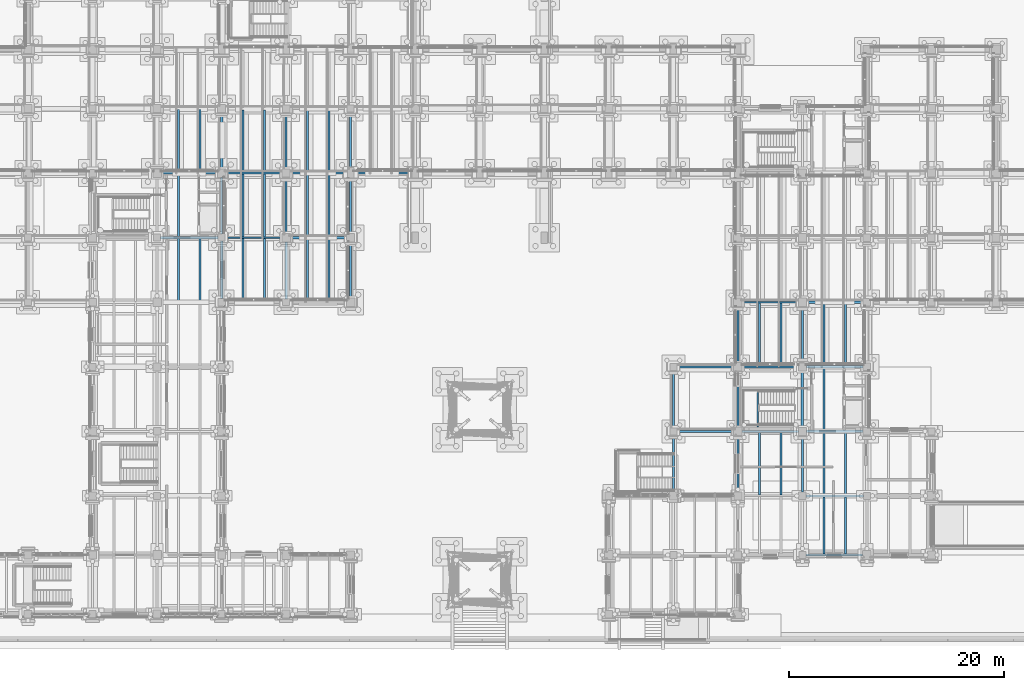
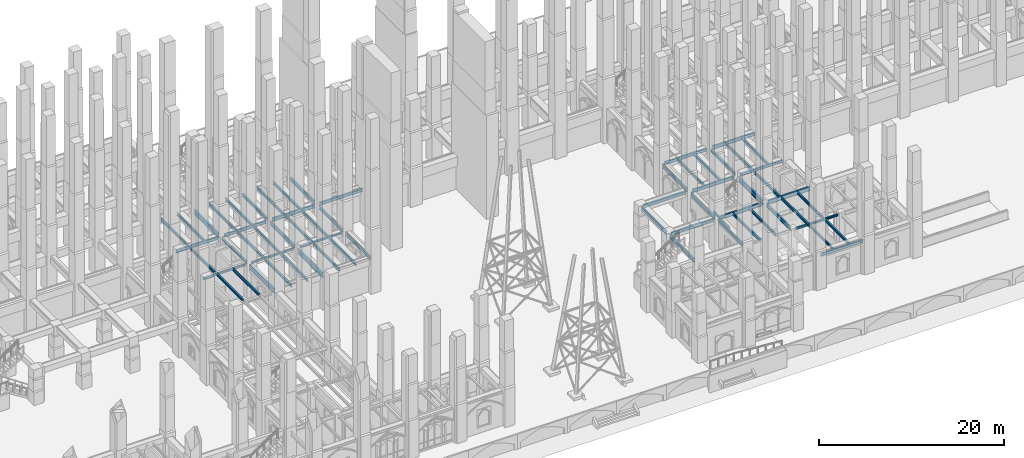
# One storey, part 45 of 135: 63 beams.
"""IFC4 building model written with IfcOpenShell, lengths in metres."""

from ifc_helpers import new_model, si_unit, direction, frame, origin, origin_2d, place, context, subcontext, project, spatial, i_section, extrude, material, material_profile, profile_set, type_object, element, save


model = new_model("IFC4")

# Units and contexts
model_context = context("Model", 3, precision=1e-05, world=origin(), true_north=direction((0.0, 1.0)))
body_context = subcontext(model_context, "Body", "Model", "MODEL_VIEW")
ifc_project = project(units=[si_unit("LENGTHUNIT", "METRE"), si_unit("AREAUNIT", "SQUARE_METRE"), si_unit("VOLUMEUNIT", "CUBIC_METRE"), si_unit("PLANEANGLEUNIT", "RADIAN"), si_unit("MASSUNIT", "GRAM", prefix="KILO")], contexts=[model_context])

# Site, building, storey
site_placement = place(None, origin())
site = spatial("IfcSite", under=ifc_project, at=site_placement, CompositionType="ELEMENT")
building_placement = place(site_placement, origin())
building = spatial("IfcBuilding", under=site, at=building_placement, Name="Cumevento Cable Car Station", CompositionType="ELEMENT")
storey_placement = place(building_placement, origin())
storey = spatial("IfcBuildingStorey", under=building, at=storey_placement, Name="L01", CompositionType="ELEMENT", Elevation=0.0)

# Beams
ifc_material_1 = material(Name="Steel ASTM A572 Grade 50", Category="steel")
ifc_material_profile_1 = material_profile(ifc_material_1, i_section(OverallWidth=0.22802734375, OverallDepth=0.60791015625, WebThickness=0.01123046875, FlangeThickness=0.017333984375, at=origin_2d()), Name="W610x113.0")
ifc_profile_set_1 = profile_set([ifc_material_profile_1], Name="Steel ASTM A572 Grade 50")
beam_type_1 = type_object("IfcBeamType", Name="Structural Beam BM-02 W610x113.0", PredefinedType="BEAM", material=ifc_profile_set_1)
beam_1_placement = place(storey_placement, frame((70.0, 33.35009765625, 3.805908203125), z_axis=(0.0, 1.0, 0.0), x_axis=(-1.0, 0.0, 0.0)))
element("IfcBeam", 1, at=beam_1_placement, inside=storey, type_object=beam_type_1, Name="Beam BM-02 L01 #76", PredefinedType="BEAM", context=body_context, shape_type="SweptSolid", body=[
    extrude(i_section(OverallWidth=0.22802734375, OverallDepth=0.60791015625, WebThickness=0.01123046875, FlangeThickness=0.017333984375, at=origin_2d()), origin(), (0.0, 0.0, 1.0), 5.324951171875),
])
beam_2_placement = place(storey_placement, frame((76.0, 33.324951171875, 3.805908203125), z_axis=(0.0, 1.0, 0.0), x_axis=(-1.0, 0.0, 0.0)))
element("IfcBeam", 2, at=beam_2_placement, inside=storey, type_object=beam_type_1, Name="Beam BM-02 L01 #88", PredefinedType="BEAM", context=body_context, shape_type="SweptSolid", body=[
    extrude(i_section(OverallWidth=0.22802734375, OverallDepth=0.60791015625, WebThickness=0.01123046875, FlangeThickness=0.017333984375, at=origin_2d()), origin(), (0.0, 0.0, 1.0), 5.275146484375),
])
beam_3_placement = place(storey_placement, frame((70.0, 45.39990234375, 3.805908203125), z_axis=(0.0, 1.0, 0.0), x_axis=(-1.0, 0.0, 0.0)))
element("IfcBeam", 3, at=beam_3_placement, inside=storey, type_object=beam_type_1, Name="Beam BM-02 L01 #178", PredefinedType="BEAM", context=body_context, shape_type="SweptSolid", body=[
    extrude(i_section(OverallWidth=0.22802734375, OverallDepth=0.60791015625, WebThickness=0.01123046875, FlangeThickness=0.017333984375, at=origin_2d()), origin(), (0.0, 0.0, 1.0), 5.22509765625),
])
beam_4_placement = place(storey_placement, frame((124.0, 21.375, 3.805908203125), z_axis=(0.0, 1.0, 0.0), x_axis=(-1.0, 0.0, 0.0)))
element("IfcBeam", 4, at=beam_4_placement, inside=storey, type_object=beam_type_1, Name="Beam BM-02 L01 #244", PredefinedType="BEAM", context=body_context, shape_type="SweptSolid", body=[
    extrude(i_section(OverallWidth=0.22802734375, OverallDepth=0.60791015625, WebThickness=0.01123046875, FlangeThickness=0.017333984375, at=origin_2d()), origin(), (0.0, 0.0, 1.0), 5.25),
])
ifc_material_2 = material(Name="Steel ASTM A572 Grade 50", Category="steel")
ifc_material_profile_2 = material_profile(ifc_material_2, i_section(OverallWidth=0.18994140625, OverallDepth=0.45703125, WebThickness=0.009033203125, FlangeThickness=0.014404296875, at=origin_2d()), Name="W460x74.0")
ifc_profile_set_2 = profile_set([ifc_material_profile_2], Name="Steel ASTM A572 Grade 50")
beam_type_2 = type_object("IfcBeamType", Name="Structural Beam BM-04 W460x74.0", PredefinedType="BEAM", material=ifc_profile_set_2)
beam_5_placement = place(storey_placement, frame((76.0, 39.39990234375, 3.881591796875), z_axis=(0.0, 1.0, 0.0), x_axis=(-1.0, 0.0, 0.0)))
element("IfcBeam", 5, at=beam_5_placement, inside=storey, type_object=beam_type_2, Name="Beam BM-04 L01 #89", PredefinedType="BEAM", context=body_context, shape_type="SweptSolid", body=[
    extrude(i_section(OverallWidth=0.18994140625, OverallDepth=0.45703125, WebThickness=0.009033203125, FlangeThickness=0.014404296875, at=origin_2d()), origin(), (0.0, 0.0, 1.0), 5.22509765625),
])
beam_6_placement = place(storey_placement, frame((82.0, 45.52490234375, 3.881591796875), z_axis=(0.0, 1.0, 0.0), x_axis=(-1.0, 0.0, 0.0)))
element("IfcBeam", 6, at=beam_6_placement, inside=storey, type_object=beam_type_2, Name="Beam BM-04 L01 #182", PredefinedType="BEAM", context=body_context, shape_type="SweptSolid", body=[
    extrude(i_section(OverallWidth=0.18994140625, OverallDepth=0.45703125, WebThickness=0.009033203125, FlangeThickness=0.014404296875, at=origin_2d()), origin(), (0.0, 0.0, 1.0), 5.150146484375),
])
beam_7_placement = place(storey_placement, frame((124.0, 15.35009765625, 3.987548828125), z_axis=(0.0, 1.0, 0.0), x_axis=(-1.0, 0.0, 0.0)))
element("IfcBeam", 7, at=beam_7_placement, inside=storey, type_object=beam_type_2, Name="Beam BM-04 L01 #236", PredefinedType="BEAM", context=body_context, shape_type="SweptSolid", body=[
    extrude(i_section(OverallWidth=0.18994140625, OverallDepth=0.45703125, WebThickness=0.009033203125, FlangeThickness=0.014404296875, at=origin_2d()), origin(), (0.0, 0.0, 1.0), 5.27490234375),
])
beam_8_placement = place(storey_placement, frame((118.39990234375, 27.0, 3.881591796875), z_axis=(1.0, 0.0, 0.0), x_axis=(0.0, 1.0, 0.0)))
element("IfcBeam", 8, at=beam_8_placement, inside=storey, type_object=beam_type_2, Name="Beam BM-04 L01 #241", PredefinedType="BEAM", context=body_context, shape_type="SweptSolid", body=[
    extrude(i_section(OverallWidth=0.18994140625, OverallDepth=0.45703125, WebThickness=0.009033203125, FlangeThickness=0.014404296875, at=origin_2d()), origin(), (0.0, 0.0, 1.0), 5.22509765625),
])
for number, where, z_axis, x_axis, name in (
    (9, (112.324951171875, 21.0, 4.021484375), (1.0, 0.0, 0.0), (0.0, 1.0, 0.0), "Terrace Girder BM-04 #13"),
    (10, (112.324951171875, 27.0, 4.021484375), (1.0, 0.0, 0.0), (0.0, 1.0, 0.0), "Terrace Girder BM-04 #14"),
):
    element("IfcBeam", number, at=place(storey_placement, frame(where, z_axis=z_axis, x_axis=x_axis)), inside=storey, type_object=beam_type_2, Name=name, PredefinedType="BEAM", context=body_context, shape_type="SweptSolid", body=[
        extrude(i_section(OverallWidth=0.18994140625, OverallDepth=0.45703125, WebThickness=0.009033203125, FlangeThickness=0.014404296875, at=origin_2d()), origin(), (0.0, 0.0, 1.0), 5.275146484375),
    ])
beam_9_placement = place(storey_placement, frame((112.0, 15.375, 4.021484375), z_axis=(0.0, 1.0, 0.0), x_axis=(-1.0, 0.0, 0.0)))
element("IfcBeam", 11, at=beam_9_placement, inside=storey, type_object=beam_type_2, Name="Terrace Cross-Girder BM-04 #15", PredefinedType="BEAM", context=body_context, shape_type="SweptSolid", body=[
    extrude(i_section(OverallWidth=0.18994140625, OverallDepth=0.45703125, WebThickness=0.009033203125, FlangeThickness=0.014404296875, at=origin_2d()), origin(), (0.0, 0.0, 1.0), 5.300048828125),
])
beam_10_placement = place(storey_placement, frame((112.0, 21.324951171875, 4.021484375), z_axis=(0.0, 1.0, 0.0), x_axis=(-1.0, 0.0, 0.0)))
element("IfcBeam", 12, at=beam_10_placement, inside=storey, type_object=beam_type_2, Name="Terrace Cross-Girder BM-04 #16", PredefinedType="BEAM", context=body_context, shape_type="SweptSolid", body=[
    extrude(i_section(OverallWidth=0.18994140625, OverallDepth=0.45703125, WebThickness=0.009033203125, FlangeThickness=0.014404296875, at=origin_2d()), origin(), (0.0, 0.0, 1.0), 5.35009765625),
])
ifc_material_3 = material(Name="Steel ASTM A572 Grade 50", Category="steel")
ifc_material_profile_3 = material_profile(ifc_material_3, i_section(OverallWidth=0.205078125, OverallDepth=0.35400390625, WebThickness=0.009521484375, FlangeThickness=0.016845703125, at=origin_2d()), Name="W360x79.0")
ifc_profile_set_3 = profile_set([ifc_material_profile_3], Name="Steel ASTM A572 Grade 50")
beam_type_3 = type_object("IfcBeamType", Name="Structural Beam BM-05 W360x79.0", PredefinedType="BEAM", material=ifc_profile_set_3)
beam_11_placement = place(storey_placement, frame((70.0, 39.324951171875, 3.93310546875), z_axis=(0.0, 1.0, 0.0), x_axis=(-1.0, 0.0, 0.0)))
element("IfcBeam", 13, at=beam_11_placement, inside=storey, type_object=beam_type_3, Name="Beam BM-05 L01 #81", PredefinedType="BEAM", context=body_context, shape_type="SweptSolid", body=[
    extrude(i_section(OverallWidth=0.205078125, OverallDepth=0.35400390625, WebThickness=0.009521484375, FlangeThickness=0.016845703125, at=origin_2d()), origin(), (0.0, 0.0, 1.0), 5.275146484375),
])
for number, where, z_axis, x_axis, name in (
    (14, (76.0, 45.375, 3.93310546875), (0.0, 1.0, 0.0), (-1.0, 0.0, 0.0), "Beam BM-05 L01 #180"),
    (15, (124.375, 27.0, 3.93310546875), (1.0, 0.0, 0.0), (0.0, 1.0, 0.0), "Beam BM-05 L01 #242"),
):
    element("IfcBeam", number, at=place(storey_placement, frame(where, z_axis=z_axis, x_axis=x_axis)), inside=storey, type_object=beam_type_3, Name=name, PredefinedType="BEAM", context=body_context, shape_type="SweptSolid", body=[
        extrude(i_section(OverallWidth=0.205078125, OverallDepth=0.35400390625, WebThickness=0.009521484375, FlangeThickness=0.016845703125, at=origin_2d()), origin(), (0.0, 0.0, 1.0), 5.27490234375),
    ])
beam_12_placement = place(storey_placement, frame((124.0, 27.375, 3.93310546875), z_axis=(0.0, 1.0, 0.0), x_axis=(-1.0, 0.0, 0.0)))
element("IfcBeam", 16, at=beam_12_placement, inside=storey, type_object=beam_type_3, Name="Beam BM-05 L01 #249", PredefinedType="BEAM", context=body_context, shape_type="SweptSolid", body=[
    extrude(i_section(OverallWidth=0.205078125, OverallDepth=0.35400390625, WebThickness=0.009521484375, FlangeThickness=0.016845703125, at=origin_2d()), origin(), (0.0, 0.0, 1.0), 5.25),
])
ifc_material_4 = material(Name="Steel ASTM A572 Grade 50", Category="steel")
ifc_material_profile_4 = material_profile(ifc_material_4, i_section(OverallWidth=0.14794921875, OverallDepth=0.26611328125, WebThickness=0.007568359375, FlangeThickness=0.012939453125, at=origin_2d()), Name="W250x44.8")
ifc_profile_set_4 = profile_set([ifc_material_profile_4], Name="Steel ASTM A572 Grade 50")
beam_type_4 = type_object("IfcBeamType", Name="Structural Beam BM-07 W250x44.8", PredefinedType="BEAM", material=ifc_profile_set_4)
beam_13_placement = place(storey_placement, frame((70.324951171875, 39.0, 3.97705078125), z_axis=(1.0, 0.0, 0.0), x_axis=(0.0, 1.0, 0.0)))
element("IfcBeam", 17, at=beam_13_placement, inside=storey, type_object=beam_type_4, Name="Beam BM-07 L01 #84", PredefinedType="BEAM", context=body_context, shape_type="SweptSolid", body=[
    extrude(i_section(OverallWidth=0.14794921875, OverallDepth=0.26611328125, WebThickness=0.007568359375, FlangeThickness=0.012939453125, at=origin_2d()), origin(), (0.0, 0.0, 1.0), 5.275146484375),
])
beam_14_placement = place(storey_placement, frame((119.860107421875, 21.39990234375, 1.902099609375), z_axis=(0.0, 1.0, 0.0), x_axis=(-1.0, 0.0, 0.0)))
element("IfcBeam", 18, at=beam_14_placement, inside=storey, type_object=beam_type_4, Name="Core Stair Half-Landing Trimmer ST-05-L01", PredefinedType="BEAM", context=body_context, shape_type="SweptSolid", body=[
    extrude(i_section(OverallWidth=0.14794921875, OverallDepth=0.26611328125, WebThickness=0.007568359375, FlangeThickness=0.012939453125, at=origin_2d()), origin(), (0.0, 0.0, 1.0), 3.52001953125),
])
ifc_material_5 = material(Name="Steel ASTM A572 Grade 50", Category="steel")
ifc_material_profile_5 = material_profile(ifc_material_5, i_section(OverallWidth=0.202880859375, OverallDepth=0.251953125, WebThickness=0.008056640625, FlangeThickness=0.013427734375, at=origin_2d()), Name="W250x58.0")
ifc_profile_set_5 = profile_set([ifc_material_profile_5], Name="Steel ASTM A572 Grade 50")
beam_type_5 = type_object("IfcBeamType", Name="Structural Beam BM-08 W250x58.0", PredefinedType="BEAM", material=ifc_profile_set_5)
beam_15_placement = place(storey_placement, frame((64.324951171875, 39.0, 3.98388671875), z_axis=(1.0, 0.0, 0.0), x_axis=(0.0, 1.0, 0.0)))
element("IfcBeam", 19, at=beam_15_placement, inside=storey, type_object=beam_type_5, Name="Beam BM-08 L01 #61", PredefinedType="BEAM", context=body_context, shape_type="SweptSolid", body=[
    extrude(i_section(OverallWidth=0.202880859375, OverallDepth=0.251953125, WebThickness=0.008056640625, FlangeThickness=0.013427734375, at=origin_2d()), origin(), (0.0, 0.0, 1.0), 5.35009765625),
])
beam_16_placement = place(storey_placement, frame((76.39990234375, 39.0, 3.98388671875), z_axis=(1.0, 0.0, 0.0), x_axis=(0.0, 1.0, 0.0)))
element("IfcBeam", 20, at=beam_16_placement, inside=storey, type_object=beam_type_5, Name="Beam BM-08 L01 #85", PredefinedType="BEAM", context=body_context, shape_type="SweptSolid", body=[
    extrude(i_section(OverallWidth=0.202880859375, OverallDepth=0.251953125, WebThickness=0.008056640625, FlangeThickness=0.013427734375, at=origin_2d()), origin(), (0.0, 0.0, 1.0), 5.22509765625),
])
beam_17_placement = place(storey_placement, frame((124.35009765625, 15.0, 4.10205078125), z_axis=(1.0, 0.0, 0.0), x_axis=(0.0, 1.0, 0.0)))
element("IfcBeam", 21, at=beam_17_placement, inside=storey, type_object=beam_type_5, Name="Beam BM-08 L01 #229", PredefinedType="BEAM", context=body_context, shape_type="SweptSolid", body=[
    extrude(i_section(OverallWidth=0.202880859375, OverallDepth=0.251953125, WebThickness=0.008056640625, FlangeThickness=0.013427734375, at=origin_2d()), origin(), (0.0, 0.0, 1.0), 5.324951171875),
])
ifc_material_6 = material(Name="Steel ASTM A572 Grade 50", Category="steel")
ifc_material_profile_6 = material_profile(ifc_material_6, i_section(OverallWidth=0.179931640625, OverallDepth=0.4130859375, WebThickness=0.009765625, FlangeThickness=0.01611328125, at=origin_2d()), Name="W410x74.0")
ifc_profile_set_6 = profile_set([ifc_material_profile_6], Name="Steel ASTM A572 Grade 50")
beam_type_6 = type_object("IfcBeamType", Name="Structural Beam BM-09 W410x74.0", PredefinedType="BEAM", material=ifc_profile_set_6)
beam_18_placement = place(storey_placement, frame((64.39990234375, 45.0, 3.903564453125), z_axis=(1.0, 0.0, 0.0), x_axis=(0.0, 1.0, 0.0)))
element("IfcBeam", 22, at=beam_18_placement, inside=storey, type_object=beam_type_6, Name="Beam BM-09 L01 #78", PredefinedType="BEAM", context=body_context, shape_type="SweptSolid", body=[
    extrude(i_section(OverallWidth=0.179931640625, OverallDepth=0.4130859375, WebThickness=0.009765625, FlangeThickness=0.01611328125, at=origin_2d()), origin(), (0.0, 0.0, 1.0), 5.2001953125),
])
for number, where, z_axis, x_axis, name in (
    (23, (70.39990234375, 45.0, 3.903564453125), (1.0, 0.0, 0.0), (0.0, 1.0, 0.0), "Beam BM-09 L01 #86"),
    (24, (118.39990234375, 33.0, 3.903564453125), (1.0, 0.0, 0.0), (0.0, 1.0, 0.0), "Beam BM-09 L01 #246"),
):
    element("IfcBeam", number, at=place(storey_placement, frame(where, z_axis=z_axis, x_axis=x_axis)), inside=storey, type_object=beam_type_6, Name=name, PredefinedType="BEAM", context=body_context, shape_type="SweptSolid", body=[
        extrude(i_section(OverallWidth=0.179931640625, OverallDepth=0.4130859375, WebThickness=0.009765625, FlangeThickness=0.01611328125, at=origin_2d()), origin(), (0.0, 0.0, 1.0), 5.22509765625),
    ])
ifc_material_7 = material(Name="Steel ASTM A572 Grade 50", Category="steel")
ifc_material_profile_7 = material_profile(ifc_material_7, i_section(OverallWidth=0.19189453125, OverallDepth=0.462890625, WebThickness=0.010498046875, FlangeThickness=0.017578125, at=origin_2d()), Name="W460x89.0")
ifc_profile_set_7 = profile_set([ifc_material_profile_7], Name="Steel ASTM A572 Grade 50")
beam_type_7 = type_object("IfcBeamType", Name="Structural Beam BM-10 W460x89.0", PredefinedType="BEAM", material=ifc_profile_set_7)
beam_19_placement = place(storey_placement, frame((76.375, 45.0, 3.87841796875), z_axis=(1.0, 0.0, 0.0), x_axis=(0.0, 1.0, 0.0)))
element("IfcBeam", 25, at=beam_19_placement, inside=storey, type_object=beam_type_7, Name="Beam BM-10 L01 #87", PredefinedType="BEAM", context=body_context, shape_type="SweptSolid", body=[
    extrude(i_section(OverallWidth=0.19189453125, OverallDepth=0.462890625, WebThickness=0.010498046875, FlangeThickness=0.017578125, at=origin_2d()), origin(), (0.0, 0.0, 1.0), 5.324951171875),
])
beam_20_placement = place(storey_placement, frame((118.39990234375, 21.0, 3.984619140625), z_axis=(1.0, 0.0, 0.0), x_axis=(0.0, 1.0, 0.0)))
element("IfcBeam", 26, at=beam_20_placement, inside=storey, type_object=beam_type_7, Name="Beam BM-10 L01 #231", PredefinedType="BEAM", context=body_context, shape_type="SweptSolid", body=[
    extrude(i_section(OverallWidth=0.19189453125, OverallDepth=0.462890625, WebThickness=0.010498046875, FlangeThickness=0.017578125, at=origin_2d()), origin(), (0.0, 0.0, 1.0), 5.22509765625),
])
beam_21_placement = place(storey_placement, frame((124.375, 33.0, 3.87841796875), z_axis=(1.0, 0.0, 0.0), x_axis=(0.0, 1.0, 0.0)))
element("IfcBeam", 27, at=beam_21_placement, inside=storey, type_object=beam_type_7, Name="Beam BM-10 L01 #247", PredefinedType="BEAM", context=body_context, shape_type="SweptSolid", body=[
    extrude(i_section(OverallWidth=0.19189453125, OverallDepth=0.462890625, WebThickness=0.010498046875, FlangeThickness=0.017578125, at=origin_2d()), origin(), (0.0, 0.0, 1.0), 5.27490234375),
])
ifc_material_8 = material(Name="Steel ASTM A572 Grade 50", Category="steel")
ifc_material_profile_8 = material_profile(ifc_material_8, i_section(OverallWidth=0.2109375, OverallDepth=0.5390625, WebThickness=0.01171875, FlangeThickness=0.018798828125, at=origin_2d()), Name="W530x109.0")
ifc_profile_set_8 = profile_set([ifc_material_profile_8], Name="Steel ASTM A572 Grade 50")
beam_type_8 = type_object("IfcBeamType", Name="Structural Beam BM-11 W530x109.0", PredefinedType="BEAM", material=ifc_profile_set_8)
beam_22_placement = place(storey_placement, frame((124.375, 21.0, 3.946533203125), z_axis=(1.0, 0.0, 0.0), x_axis=(0.0, 1.0, 0.0)))
element("IfcBeam", 28, at=beam_22_placement, inside=storey, type_object=beam_type_8, Name="Beam BM-11 L01 #232", PredefinedType="BEAM", context=body_context, shape_type="SweptSolid", body=[
    extrude(i_section(OverallWidth=0.2109375, OverallDepth=0.5390625, WebThickness=0.01171875, FlangeThickness=0.018798828125, at=origin_2d()), origin(), (0.0, 0.0, 1.0), 5.27490234375),
])
ifc_material_9 = material(Name="Steel ASTM A572 Grade 50", Category="steel")
ifc_material_profile_9 = material_profile(ifc_material_9, i_section(OverallWidth=0.1708984375, OverallDepth=0.35498046875, WebThickness=0.007080078125, FlangeThickness=0.01171875, at=origin_2d()), Name="W360x51.0")
ifc_profile_set_9 = profile_set([ifc_material_profile_9], Name="Steel ASTM A572 Grade 50")
beam_type_9 = type_object("IfcBeamType", Name="Structural Joist JS-01 W360x51.0", PredefinedType="JOIST", material=ifc_profile_set_9)
for number, where, z_axis, x_axis, name in (
    (29, (66.0, 33.114990234375, 4.0625), (0.0, 1.0, 0.0), (-1.0, 0.0, 0.0), "Composite Floor Joist JS-01 L01 #347"),
    (30, (68.0, 33.114990234375, 4.0625), (0.0, 1.0, 0.0), (-1.0, 0.0, 0.0), "Composite Floor Joist JS-01 L01 #352"),
):
    element("IfcBeam", number, at=place(storey_placement, frame(where, z_axis=z_axis, x_axis=x_axis)), inside=storey, type_object=beam_type_9, Name=name, PredefinedType="JOIST", context=body_context, shape_type="SweptSolid", body=[
        extrude(i_section(OverallWidth=0.1708984375, OverallDepth=0.35498046875, WebThickness=0.007080078125, FlangeThickness=0.01171875, at=origin_2d()), origin(), (0.0, 0.0, 1.0), 5.79541015625),
    ])
beam_23_placement = place(storey_placement, frame((66.0, 39.089599609375, 4.032470703125), z_axis=(0.0, 1.0, 0.0), x_axis=(-1.0, 0.0, 0.0)))
element("IfcBeam", 31, at=beam_23_placement, inside=storey, type_object=beam_type_9, Name="Composite Floor Joist JS-01 L01 #353", PredefinedType="JOIST", context=body_context, shape_type="SweptSolid", body=[
    extrude(i_section(OverallWidth=0.1708984375, OverallDepth=0.35498046875, WebThickness=0.007080078125, FlangeThickness=0.01171875, at=origin_2d()), origin(), (0.0, 0.0, 1.0), 5.83251953125),
])
beam_24_placement = place(storey_placement, frame((72.0, 33.076904296875, 3.9326171875), z_axis=(0.0, 1.0, 0.0), x_axis=(-1.0, 0.0, 0.0)))
element("IfcBeam", 32, at=beam_24_placement, inside=storey, type_object=beam_type_9, Name="Composite Floor Joist JS-01 L01 #354", PredefinedType="JOIST", context=body_context, shape_type="SweptSolid", body=[
    extrude(i_section(OverallWidth=0.1708984375, OverallDepth=0.35498046875, WebThickness=0.007080078125, FlangeThickness=0.01171875, at=origin_2d()), origin(), (0.0, 0.0, 1.0), 5.861083984375),
])
beam_25_placement = place(storey_placement, frame((72.0, 39.06201171875, 3.9326171875), z_axis=(0.0, 1.0, 0.0), x_axis=(-1.0, 0.0, 0.0)))
element("IfcBeam", 33, at=beam_25_placement, inside=storey, type_object=beam_type_9, Name="Composite Floor Joist JS-01 L01 #355", PredefinedType="JOIST", context=body_context, shape_type="SweptSolid", body=[
    extrude(i_section(OverallWidth=0.1708984375, OverallDepth=0.35498046875, WebThickness=0.007080078125, FlangeThickness=0.01171875, at=origin_2d()), origin(), (0.0, 0.0, 1.0), 5.860107421875),
])
beam_26_placement = place(storey_placement, frame((74.0, 33.076904296875, 3.9326171875), z_axis=(0.0, 1.0, 0.0), x_axis=(-1.0, 0.0, 0.0)))
element("IfcBeam", 34, at=beam_26_placement, inside=storey, type_object=beam_type_9, Name="Composite Floor Joist JS-01 L01 #356", PredefinedType="JOIST", context=body_context, shape_type="SweptSolid", body=[
    extrude(i_section(OverallWidth=0.1708984375, OverallDepth=0.35498046875, WebThickness=0.007080078125, FlangeThickness=0.01171875, at=origin_2d()), origin(), (0.0, 0.0, 1.0), 5.861083984375),
])
beam_27_placement = place(storey_placement, frame((74.0, 39.06201171875, 3.9326171875), z_axis=(0.0, 1.0, 0.0), x_axis=(-1.0, 0.0, 0.0)))
element("IfcBeam", 35, at=beam_27_placement, inside=storey, type_object=beam_type_9, Name="Composite Floor Joist JS-01 L01 #357", PredefinedType="JOIST", context=body_context, shape_type="SweptSolid", body=[
    extrude(i_section(OverallWidth=0.1708984375, OverallDepth=0.35498046875, WebThickness=0.007080078125, FlangeThickness=0.01171875, at=origin_2d()), origin(), (0.0, 0.0, 1.0), 5.860107421875),
])
beam_28_placement = place(storey_placement, frame((78.0, 33.076904296875, 3.9326171875), z_axis=(0.0, 1.0, 0.0), x_axis=(-1.0, 0.0, 0.0)))
element("IfcBeam", 36, at=beam_28_placement, inside=storey, type_object=beam_type_9, Name="Composite Floor Joist JS-01 L01 #358", PredefinedType="JOIST", context=body_context, shape_type="SweptSolid", body=[
    extrude(i_section(OverallWidth=0.1708984375, OverallDepth=0.35498046875, WebThickness=0.007080078125, FlangeThickness=0.01171875, at=origin_2d()), origin(), (0.0, 0.0, 1.0), 5.83349609375),
])
beam_29_placement = place(storey_placement, frame((78.0, 39.089599609375, 3.9326171875), z_axis=(0.0, 1.0, 0.0), x_axis=(-1.0, 0.0, 0.0)))
element("IfcBeam", 37, at=beam_29_placement, inside=storey, type_object=beam_type_9, Name="Composite Floor Joist JS-01 L01 #359", PredefinedType="JOIST", context=body_context, shape_type="SweptSolid", body=[
    extrude(i_section(OverallWidth=0.1708984375, OverallDepth=0.35498046875, WebThickness=0.007080078125, FlangeThickness=0.01171875, at=origin_2d()), origin(), (0.0, 0.0, 1.0), 5.826416015625),
])
beam_30_placement = place(storey_placement, frame((80.0, 33.076904296875, 3.9326171875), z_axis=(0.0, 1.0, 0.0), x_axis=(-1.0, 0.0, 0.0)))
element("IfcBeam", 38, at=beam_30_placement, inside=storey, type_object=beam_type_9, Name="Composite Floor Joist JS-01 L01 #360", PredefinedType="JOIST", context=body_context, shape_type="SweptSolid", body=[
    extrude(i_section(OverallWidth=0.1708984375, OverallDepth=0.35498046875, WebThickness=0.007080078125, FlangeThickness=0.01171875, at=origin_2d()), origin(), (0.0, 0.0, 1.0), 5.83349609375),
])
beam_31_placement = place(storey_placement, frame((80.0, 39.089599609375, 3.9326171875), z_axis=(0.0, 1.0, 0.0), x_axis=(-1.0, 0.0, 0.0)))
element("IfcBeam", 39, at=beam_31_placement, inside=storey, type_object=beam_type_9, Name="Composite Floor Joist JS-01 L01 #361", PredefinedType="JOIST", context=body_context, shape_type="SweptSolid", body=[
    extrude(i_section(OverallWidth=0.1708984375, OverallDepth=0.35498046875, WebThickness=0.007080078125, FlangeThickness=0.01171875, at=origin_2d()), origin(), (0.0, 0.0, 1.0), 5.826416015625),
])
for number, where, z_axis, x_axis, name in (
    (40, (66.0, 45.077880859375, 4.032470703125), (0.0, 1.0, 0.0), (-1.0, 0.0, 0.0), "Composite Floor Joist JS-01 L01 #385"),
    (41, (68.0, 45.077880859375, 4.032470703125), (0.0, 1.0, 0.0), (-1.0, 0.0, 0.0), "Composite Floor Joist JS-01 L01 #387"),
):
    element("IfcBeam", number, at=place(storey_placement, frame(where, z_axis=z_axis, x_axis=x_axis)), inside=storey, type_object=beam_type_9, Name=name, PredefinedType="JOIST", context=body_context, shape_type="SweptSolid", body=[
        extrude(i_section(OverallWidth=0.1708984375, OverallDepth=0.35498046875, WebThickness=0.007080078125, FlangeThickness=0.01171875, at=origin_2d()), origin(), (0.0, 0.0, 1.0), 5.83154296875),
    ])
for number, where, z_axis, x_axis, name in (
    (42, (72.0, 45.077880859375, 3.9326171875), (0.0, 1.0, 0.0), (-1.0, 0.0, 0.0), "Composite Floor Joist JS-01 L01 #389"),
    (43, (74.0, 45.077880859375, 3.9326171875), (0.0, 1.0, 0.0), (-1.0, 0.0, 0.0), "Composite Floor Joist JS-01 L01 #391"),
):
    element("IfcBeam", number, at=place(storey_placement, frame(where, z_axis=z_axis, x_axis=x_axis)), inside=storey, type_object=beam_type_9, Name=name, PredefinedType="JOIST", context=body_context, shape_type="SweptSolid", body=[
        extrude(i_section(OverallWidth=0.1708984375, OverallDepth=0.35498046875, WebThickness=0.007080078125, FlangeThickness=0.01171875, at=origin_2d()), origin(), (0.0, 0.0, 1.0), 5.80712890625),
    ])
for number, where, z_axis, x_axis, name in (
    (44, (78.0, 45.083984375, 3.9326171875), (0.0, 1.0, 0.0), (-1.0, 0.0, 0.0), "Composite Floor Joist JS-01 L01 #393"),
    (45, (80.0, 45.083984375, 3.9326171875), (0.0, 1.0, 0.0), (-1.0, 0.0, 0.0), "Composite Floor Joist JS-01 L01 #395"),
    (46, (120.0, 15.06201171875, 4.03857421875), (0.0, 1.0, 0.0), (-1.0, 0.0, 0.0), "Composite Floor Joist JS-01 L01 #402"),
    (47, (122.0, 15.06201171875, 4.03857421875), (0.0, 1.0, 0.0), (-1.0, 0.0, 0.0), "Composite Floor Joist JS-01 L01 #404"),
):
    element("IfcBeam", number, at=place(storey_placement, frame(where, z_axis=z_axis, x_axis=x_axis)), inside=storey, type_object=beam_type_9, Name=name, PredefinedType="JOIST", context=body_context, shape_type="SweptSolid", body=[
        extrude(i_section(OverallWidth=0.1708984375, OverallDepth=0.35498046875, WebThickness=0.007080078125, FlangeThickness=0.01171875, at=origin_2d()), origin(), (0.0, 0.0, 1.0), 5.85400390625),
    ])
for number, where, z_axis, x_axis, name in (
    (48, (126.0, 15.089599609375, 4.03857421875), (0.0, 1.0, 0.0), (-1.0, 0.0, 0.0), "Composite Floor Joist JS-01 L01 #406"),
    (49, (128.0, 15.089599609375, 4.03857421875), (0.0, 1.0, 0.0), (-1.0, 0.0, 0.0), "Composite Floor Joist JS-01 L01 #408"),
):
    element("IfcBeam", number, at=place(storey_placement, frame(where, z_axis=z_axis, x_axis=x_axis)), inside=storey, type_object=beam_type_9, Name=name, PredefinedType="JOIST", context=body_context, shape_type="SweptSolid", body=[
        extrude(i_section(OverallWidth=0.1708984375, OverallDepth=0.35498046875, WebThickness=0.007080078125, FlangeThickness=0.01171875, at=origin_2d()), origin(), (0.0, 0.0, 1.0), 5.81689453125),
    ])
beam_32_placement = place(storey_placement, frame((126.0, 21.093505859375, 3.9326171875), z_axis=(0.0, 1.0, 0.0), x_axis=(-1.0, 0.0, 0.0)))
element("IfcBeam", 50, at=beam_32_placement, inside=storey, type_object=beam_type_9, Name="Composite Floor Joist JS-01 L01 #413", PredefinedType="JOIST", context=body_context, shape_type="SweptSolid", body=[
    extrude(i_section(OverallWidth=0.1708984375, OverallDepth=0.35498046875, WebThickness=0.007080078125, FlangeThickness=0.01171875, at=origin_2d()), origin(), (0.0, 0.0, 1.0), 5.81591796875),
])
for number, where, z_axis, x_axis, name in (
    (51, (120.0, 27.0830078125, 3.9326171875), (0.0, 1.0, 0.0), (-1.0, 0.0, 0.0), "Composite Floor Joist JS-01 L01 #414"),
    (52, (122.0, 27.0830078125, 3.9326171875), (0.0, 1.0, 0.0), (-1.0, 0.0, 0.0), "Composite Floor Joist JS-01 L01 #415"),
):
    element("IfcBeam", number, at=place(storey_placement, frame(where, z_axis=z_axis, x_axis=x_axis)), inside=storey, type_object=beam_type_9, Name=name, PredefinedType="JOIST", context=body_context, shape_type="SweptSolid", body=[
        extrude(i_section(OverallWidth=0.1708984375, OverallDepth=0.35498046875, WebThickness=0.007080078125, FlangeThickness=0.01171875, at=origin_2d()), origin(), (0.0, 0.0, 1.0), 5.839111328125),
    ])
for number, where, z_axis, x_axis, name in (
    (53, (126.0, 27.090576171875, 3.9326171875), (0.0, 1.0, 0.0), (-1.0, 0.0, 0.0), "Composite Floor Joist JS-01 L01 #416"),
    (54, (128.0, 27.090576171875, 3.9326171875), (0.0, 1.0, 0.0), (-1.0, 0.0, 0.0), "Composite Floor Joist JS-01 L01 #417"),
):
    element("IfcBeam", number, at=place(storey_placement, frame(where, z_axis=z_axis, x_axis=x_axis)), inside=storey, type_object=beam_type_9, Name=name, PredefinedType="JOIST", context=body_context, shape_type="SweptSolid", body=[
        extrude(i_section(OverallWidth=0.1708984375, OverallDepth=0.35498046875, WebThickness=0.007080078125, FlangeThickness=0.01171875, at=origin_2d()), origin(), (0.0, 0.0, 1.0), 5.825439453125),
    ])
ifc_material_10 = material(Name="Steel ASTM A572 Grade 50", Category="steel")
ifc_material_profile_10 = material_profile(ifc_material_10, i_section(OverallWidth=0.1669921875, OverallDepth=0.31689453125, WebThickness=0.007568359375, FlangeThickness=0.01318359375, at=origin_2d()), Name="W310x52.0")
ifc_profile_set_10 = profile_set([ifc_material_profile_10], Name="Steel ASTM A572 Grade 50")
beam_type_10 = type_object("IfcBeamType", Name="Structural Joist JS-02 W310x52.0", PredefinedType="JOIST", material=ifc_profile_set_10)
for number, where, z_axis, x_axis, name in (
    (55, (126.0, 9.576904296875, 4.069580078125), (0.0, 1.0, 0.0), (-1.0, 0.0, 0.0), "Composite Floor Joist JS-02 L01 #405"),
    (56, (128.0, 9.576904296875, 4.069580078125), (0.0, 1.0, 0.0), (-1.0, 0.0, 0.0), "Composite Floor Joist JS-02 L01 #407"),
):
    element("IfcBeam", number, at=place(storey_placement, frame(where, z_axis=z_axis, x_axis=x_axis)), inside=storey, type_object=beam_type_10, Name=name, PredefinedType="JOIST", context=body_context, shape_type="SweptSolid", body=[
        extrude(i_section(OverallWidth=0.1669921875, OverallDepth=0.31689453125, WebThickness=0.007568359375, FlangeThickness=0.01318359375, at=origin_2d()), origin(), (0.0, 0.0, 1.0), 5.33349609375),
    ])
ifc_material_11 = material(Name="Steel ASTM A572 Grade 50", Category="steel")
ifc_material_profile_11 = material_profile(ifc_material_11, i_section(OverallWidth=0.177978515625, OverallDepth=0.406982421875, WebThickness=0.0078125, FlangeThickness=0.0126953125, at=origin_2d()), Name="W410x60.0")
ifc_profile_set_11 = profile_set([ifc_material_profile_11], Name="Steel ASTM A572 Grade 50")
beam_type_11 = type_object("IfcBeamType", Name="Structural Spandrel SP-01 W410x60.0", PredefinedType="SPANDREL", material=ifc_profile_set_11)
beam_33_placement = place(storey_placement, frame((82.0, 33.39990234375, 3.906494140625), z_axis=(0.0, 1.0, 0.0), x_axis=(-1.0, 0.0, 0.0)))
element("IfcBeam", 57, at=beam_33_placement, inside=storey, type_object=beam_type_11, Name="Beam SP-01 L01 #90", PredefinedType="SPANDREL", context=body_context, shape_type="SweptSolid", body=[
    extrude(i_section(OverallWidth=0.177978515625, OverallDepth=0.406982421875, WebThickness=0.0078125, FlangeThickness=0.0126953125, at=origin_2d()), origin(), (0.0, 0.0, 1.0), 5.22509765625),
])
beam_34_placement = place(storey_placement, frame((82.0, 39.375, 3.906494140625), z_axis=(0.0, 1.0, 0.0), x_axis=(-1.0, 0.0, 0.0)))
element("IfcBeam", 58, at=beam_34_placement, inside=storey, type_object=beam_type_11, Name="Beam SP-01 L01 #91", PredefinedType="SPANDREL", context=body_context, shape_type="SweptSolid", body=[
    extrude(i_section(OverallWidth=0.177978515625, OverallDepth=0.406982421875, WebThickness=0.0078125, FlangeThickness=0.0126953125, at=origin_2d()), origin(), (0.0, 0.0, 1.0), 5.10009765625),
])
beam_35_placement = place(storey_placement, frame((82.300048828125, 45.0, 3.906494140625), z_axis=(1.0, 0.0, 0.0), x_axis=(0.0, 1.0, 0.0)))
element("IfcBeam", 59, at=beam_35_placement, inside=storey, type_object=beam_type_11, Name="Beam SP-01 L01 #169", PredefinedType="SPANDREL", context=body_context, shape_type="SweptSolid", body=[
    extrude(i_section(OverallWidth=0.177978515625, OverallDepth=0.406982421875, WebThickness=0.0078125, FlangeThickness=0.0126953125, at=origin_2d()), origin(), (0.0, 0.0, 1.0), 5.39990234375),
])
beam_36_placement = place(storey_placement, frame((124.324951171875, 9.5, 4.0244140625), z_axis=(1.0, 0.0, 0.0), x_axis=(0.0, 1.0, 0.0)))
element("IfcBeam", 60, at=beam_36_placement, inside=storey, type_object=beam_type_11, Name="Beam SP-01 L01 #226", PredefinedType="SPANDREL", context=body_context, shape_type="SweptSolid", body=[
    extrude(i_section(OverallWidth=0.177978515625, OverallDepth=0.406982421875, WebThickness=0.0078125, FlangeThickness=0.0126953125, at=origin_2d()), origin(), (0.0, 0.0, 1.0), 5.275146484375),
])
beam_37_placement = place(storey_placement, frame((118.0, 15.375, 4.012451171875), z_axis=(0.0, 1.0, 0.0), x_axis=(-1.0, 0.0, 0.0)))
element("IfcBeam", 61, at=beam_37_placement, inside=storey, type_object=beam_type_11, Name="Beam SP-01 L01 #234", PredefinedType="SPANDREL", context=body_context, shape_type="SweptSolid", body=[
    extrude(i_section(OverallWidth=0.177978515625, OverallDepth=0.406982421875, WebThickness=0.0078125, FlangeThickness=0.0126953125, at=origin_2d()), origin(), (0.0, 0.0, 1.0), 5.22509765625),
])
for number, where, z_axis, x_axis, name in (
    (62, (118.0, 21.39990234375, 3.906494140625), (0.0, 1.0, 0.0), (-1.0, 0.0, 0.0), "Beam SP-01 L01 #243"),
    (63, (118.0, 27.39990234375, 3.906494140625), (0.0, 1.0, 0.0), (-1.0, 0.0, 0.0), "Beam SP-01 L01 #248"),
):
    element("IfcBeam", number, at=place(storey_placement, frame(where, z_axis=z_axis, x_axis=x_axis)), inside=storey, type_object=beam_type_11, Name=name, PredefinedType="SPANDREL", context=body_context, shape_type="SweptSolid", body=[
        extrude(i_section(OverallWidth=0.177978515625, OverallDepth=0.406982421875, WebThickness=0.0078125, FlangeThickness=0.0126953125, at=origin_2d()), origin(), (0.0, 0.0, 1.0), 5.2001953125),
    ])

save(model, "model.ifc")
